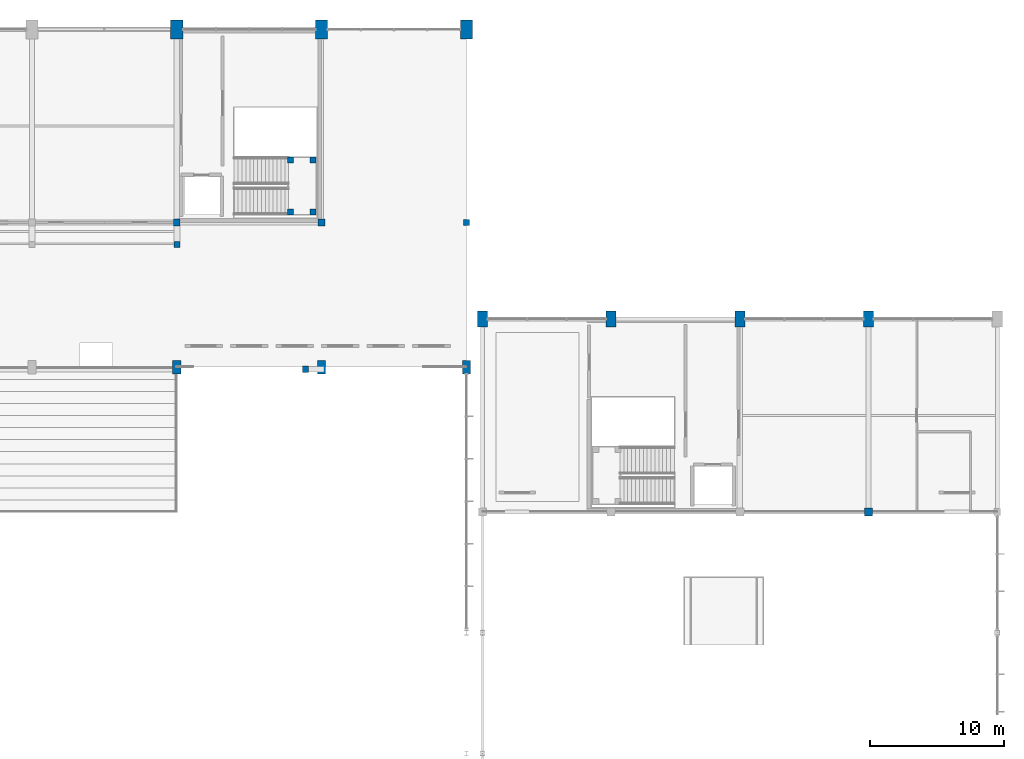
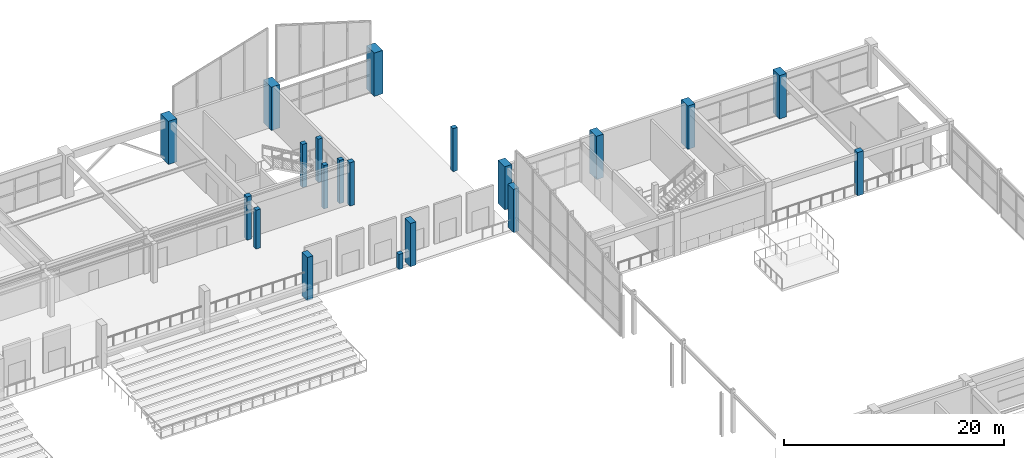
# One storey, part 11 of 74: 20 columns.
"""IFC4 building model written with IfcOpenShell, lengths in metres."""

from ifc_helpers import new_model, si_unit, direction, frame, origin, origin_2d, place, context, subcontext, project, spatial, rectangle, extrude, material, material_profile, profile_set, type_object, element, save


model = new_model("IFC4")

# Units and contexts
model_context = context("Model", 3, precision=1e-05, world=origin(), true_north=direction((0.0, 1.0)))
body_context = subcontext(model_context, "Body", "Model", "MODEL_VIEW")
ifc_project = project(units=[si_unit("LENGTHUNIT", "METRE"), si_unit("AREAUNIT", "SQUARE_METRE"), si_unit("VOLUMEUNIT", "CUBIC_METRE"), si_unit("PLANEANGLEUNIT", "RADIAN"), si_unit("MASSUNIT", "GRAM", prefix="KILO")], contexts=[model_context])

# Site, building, storey
site_placement = place(None, origin())
site = spatial("IfcSite", under=ifc_project, at=site_placement, CompositionType="ELEMENT")
building_placement = place(site_placement, origin())
building = spatial("IfcBuilding", under=site, at=building_placement, Name="Suirenkawa Promenade Aquatics Centre", CompositionType="ELEMENT")
storey_placement = place(building_placement, frame((0.0, 0.0, 4.800048828125)))
storey = spatial("IfcBuildingStorey", under=building, at=storey_placement, Name="L01", CompositionType="ELEMENT", Elevation=4.800048828125)

# Columns
ifc_material = material(Name="Concrete M40", Category="concrete")
ifc_material_profile_1 = material_profile(ifc_material, rectangle(XDim=0.60009765625, YDim=1.0, at=origin_2d()), Name="RC PIER 600x1000", Category="concrete")
ifc_profile_set_1 = profile_set([ifc_material_profile_1], Name="Concrete M40")
column_type_1 = type_object("IfcColumnType", Name="CT-PIER-600x1000", PredefinedType="COLUMN", material=ifc_profile_set_1)
for number, where, z_axis, x_axis, name in (
    (1, (133.199951171875, 97.199951171875, 0.0), (0.0, 0.0, 1.0), (1.0, 0.0, 0.0), "Column CL-07 COL-0147"),
    (2, (144.0, 97.199951171875, 0.0), (0.0, 0.0, 1.0), (1.0, 0.0, 0.0), "Column CL-07 COL-0153"),
    (3, (154.800048828125, 97.199951171875, 0.0), (0.0, 0.0, 1.0), (1.0, 0.0, 0.0), "Column CL-07 COL-0159"),
):
    element("IfcColumn", number, at=place(storey_placement, frame(where, z_axis=z_axis, x_axis=x_axis)), inside=storey, type_object=column_type_1, Name=name, PredefinedType="COLUMN", context=body_context, shape_type="SweptSolid", body=[
        extrude(rectangle(XDim=0.60009765625, YDim=1.0, at=origin_2d()), origin(), (0.0, 0.0, 1.0), 4.800048828125),
    ])
ifc_material_profile_2 = material_profile(ifc_material, rectangle(XDim=0.75, YDim=1.199951171875, at=origin_2d()), Name="RC PIER 750x1200", Category="concrete")
ifc_profile_set_2 = profile_set([ifc_material_profile_2], Name="Concrete M40")
column_type_2 = type_object("IfcColumnType", Name="CT-PIER-750x1200", PredefinedType="COLUMN", material=ifc_profile_set_2)
for number, where, z_axis, x_axis, name in (
    (4, (156.0, 100.800048828125, 0.0), (0.0, 0.0, 1.0), (1.0, 0.0, 0.0), "Column CL-08 COL-0013"),
    (5, (165.60009765625, 100.800048828125, 0.0), (0.0, 0.0, 1.0), (1.0, 0.0, 0.0), "Column CL-08 COL-0018"),
    (6, (175.199951171875, 100.800048828125, 0.0), (0.0, 0.0, 1.0), (1.0, 0.0, 0.0), "Column CL-08 COL-0023"),
    (7, (184.800048828125, 100.800048828125, 0.0), (0.0, 0.0, 1.0), (1.0, 0.0, 0.0), "Column CL-08 COL-0028"),
):
    element("IfcColumn", number, at=place(storey_placement, frame(where, z_axis=z_axis, x_axis=x_axis)), inside=storey, type_object=column_type_2, Name=name, PredefinedType="COLUMN", context=body_context, shape_type="SweptSolid", body=[
        extrude(rectangle(XDim=0.75, YDim=1.199951171875, at=origin_2d()), origin(), (0.0, 0.0, 1.0), 4.800048828125),
    ])
ifc_material_profile_3 = material_profile(ifc_material, rectangle(XDim=0.89990234375, YDim=1.39990234375, at=origin_2d()), Name="RC PIER 900x1400", Category="concrete")
ifc_profile_set_3 = profile_set([ifc_material_profile_3], Name="Concrete M40")
column_type_3 = type_object("IfcColumnType", Name="CT-PIER-900x1400", PredefinedType="COLUMN", material=ifc_profile_set_3)
for number, where, z_axis, x_axis, name in (
    (8, (133.199951171875, 122.39990234375, 0.0), (0.0, 0.0, 1.0), (1.0, 0.0, 0.0), "Column CL-09 COL-0070"),
    (9, (144.0, 122.39990234375, 0.0), (0.0, 0.0, 1.0), (1.0, 0.0, 0.0), "Column CL-09 COL-0074"),
    (10, (154.800048828125, 122.39990234375, 0.0), (0.0, 0.0, 1.0), (1.0, 0.0, 0.0), "Column CL-09 COL-0078"),
):
    element("IfcColumn", number, at=place(storey_placement, frame(where, z_axis=z_axis, x_axis=x_axis)), inside=storey, type_object=column_type_3, Name=name, PredefinedType="COLUMN", context=body_context, shape_type="SweptSolid", body=[
        extrude(rectangle(XDim=0.89990234375, YDim=1.39990234375, at=origin_2d()), origin(), (0.0, 0.0, 1.0), 4.800048828125),
    ])
ifc_material_profile_4 = material_profile(ifc_material, rectangle(XDim=0.449951171875, YDim=0.449951171875, at=origin_2d()), Name="RC COL 450x450", Category="concrete")
ifc_profile_set_4 = profile_set([ifc_material_profile_4], Name="Concrete M40")
column_type_4 = type_object("IfcColumnType", Name="CT-RC-450", PredefinedType="COLUMN", material=ifc_profile_set_4)
column_1_placement = place(storey_placement, frame((133.199951171875, 106.35009765625, 0.0), z_axis=(0.0, 0.0, 1.0), x_axis=(1.0, 0.0, 0.0)))
element("IfcColumn", 11, at=column_1_placement, inside=storey, type_object=column_type_4, Name="Column CL-01 COL-0778", PredefinedType="COLUMN", context=body_context, shape_type="SweptSolid", body=[
    extrude(rectangle(XDim=0.449951171875, YDim=0.449951171875, at=origin_2d()), origin(), (0.0, 0.0, 1.0), 4.31005859375),
])
column_2_placement = place(storey_placement, frame((142.800048828125, 97.050048828125, 0.0), z_axis=(0.0, 0.0, 1.0), x_axis=(1.0, 0.0, 0.0)))
element("IfcColumn", 12, at=column_2_placement, inside=storey, type_object=column_type_4, Name="Column CL-01 COL-0781", PredefinedType="COLUMN", context=body_context, shape_type="SweptSolid", body=[
    extrude(rectangle(XDim=0.449951171875, YDim=0.449951171875, at=origin_2d()), origin(), (0.0, 0.0, 1.0), 1.679931640625),
])
for number, where, z_axis, x_axis, name in (
    (13, (154.800048828125, 108.0, 0.0), (0.0, 0.0, 1.0), (1.0, 0.0, 0.0), "Column CL-01 COL-0784"),
    (14, (143.35009765625, 108.77001953125, 0.0), (0.0, 0.0, 1.0), (1.0, 0.0, 0.0), "Core stair landing column CL-01 COL-CR-C4-L01-1"),
    (15, (141.699951171875, 108.77001953125, 0.0), (0.0, 0.0, 1.0), (1.0, 0.0, 0.0), "Core stair landing column CL-01 COL-CR-C4-L01-2"),
    (16, (143.35009765625, 112.659912109375, 0.0), (0.0, 0.0, 1.0), (1.0, 0.0, 0.0), "Core stair landing column CL-01 COL-CR-C4-L01-3"),
    (17, (141.699951171875, 112.659912109375, 0.0), (0.0, 0.0, 1.0), (1.0, 0.0, 0.0), "Core stair landing column CL-01 COL-CR-C4-L01-4"),
):
    element("IfcColumn", number, at=place(storey_placement, frame(where, z_axis=z_axis, x_axis=x_axis)), inside=storey, type_object=column_type_4, Name=name, PredefinedType="COLUMN", context=body_context, shape_type="SweptSolid", body=[
        extrude(rectangle(XDim=0.449951171875, YDim=0.449951171875, at=origin_2d()), origin(), (0.0, 0.0, 1.0), 4.800048828125),
    ])
ifc_material_profile_5 = material_profile(ifc_material, rectangle(XDim=0.5, YDim=0.5, at=origin_2d()), Name="RC COL 500x500", Category="concrete")
ifc_profile_set_5 = profile_set([ifc_material_profile_5], Name="Concrete M40")
column_type_5 = type_object("IfcColumnType", Name="CT-RC-500", PredefinedType="COLUMN", material=ifc_profile_set_5)
for number, where, z_axis, x_axis, name in (
    (18, (133.199951171875, 108.0, 0.0), (0.0, 0.0, 1.0), (1.0, 0.0, 0.0), "Column CL-02 COL-0606"),
    (19, (144.0, 108.0, 0.0), (0.0, 0.0, 1.0), (1.0, 0.0, 0.0), "Column CL-02 COL-0610"),
):
    element("IfcColumn", number, at=place(storey_placement, frame(where, z_axis=z_axis, x_axis=x_axis)), inside=storey, type_object=column_type_5, Name=name, PredefinedType="COLUMN", context=body_context, shape_type="SweptSolid", body=[
        extrude(rectangle(XDim=0.5, YDim=0.5, at=origin_2d()), origin(), (0.0, 0.0, 1.0), 4.800048828125),
    ])
ifc_material_profile_6 = material_profile(ifc_material, rectangle(XDim=0.60009765625, YDim=0.60009765625, at=origin_2d()), Name="RC COL 600x600", Category="concrete")
ifc_profile_set_6 = profile_set([ifc_material_profile_6], Name="Concrete M40")
column_type_6 = type_object("IfcColumnType", Name="CT-RC-600", PredefinedType="COLUMN", material=ifc_profile_set_6)
column_3_placement = place(storey_placement, frame((184.800048828125, 86.39990234375, 0.0), z_axis=(0.0, 0.0, 1.0), x_axis=(1.0, 0.0, 0.0)))
element("IfcColumn", 20, at=column_3_placement, inside=storey, type_object=column_type_6, Name="Column CL-03 COL-0429", PredefinedType="COLUMN", context=body_context, shape_type="SweptSolid", body=[
    extrude(rectangle(XDim=0.60009765625, YDim=0.60009765625, at=origin_2d()), origin(), (0.0, 0.0, 1.0), 4.800048828125),
])

save(model, "model.ifc")
